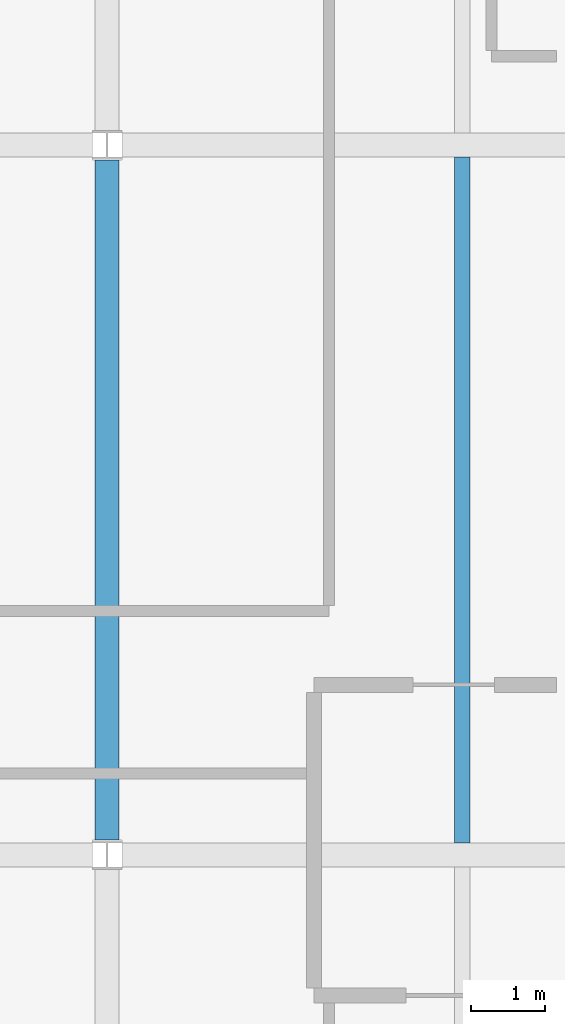
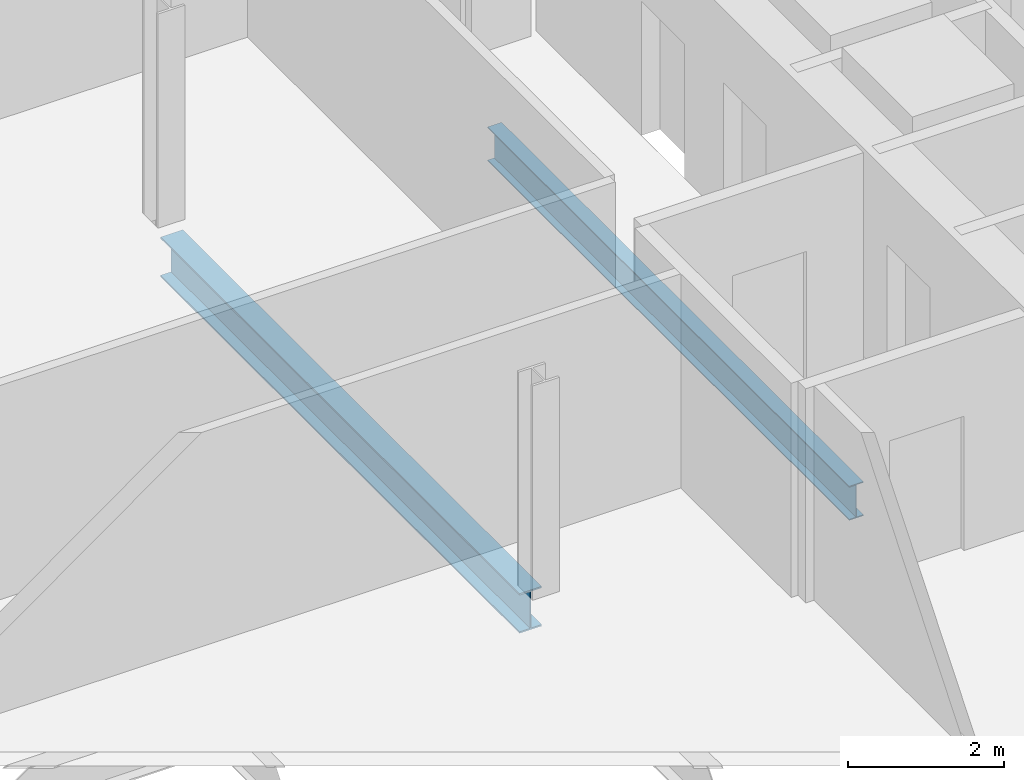
# One storey, part 5 of 19: 2 beams.
"""IFC4 building model written with IfcOpenShell, lengths in metres."""

from ifc_helpers import new_model, si_unit, direction, frame, origin, origin_2d, place, context, subcontext, project, spatial, i_section, extrude, material, material_profile, profile_set, type_object, element, save


model = new_model("IFC4")

# Units and contexts
model_context = context("Model", 3, precision=1e-05, world=origin(), true_north=direction((0.0, 1.0)))
body_context = subcontext(model_context, "Body", "Model", "MODEL_VIEW")
ifc_project = project(units=[si_unit("LENGTHUNIT", "METRE"), si_unit("AREAUNIT", "SQUARE_METRE"), si_unit("VOLUMEUNIT", "CUBIC_METRE"), si_unit("PLANEANGLEUNIT", "RADIAN"), si_unit("MASSUNIT", "GRAM", prefix="KILO")], contexts=[model_context])

# Site, building, storey
site_placement = place(None, origin())
site = spatial("IfcSite", under=ifc_project, at=site_placement, CompositionType="ELEMENT")
building_placement = place(site_placement, origin())
building = spatial("IfcBuilding", under=site, at=building_placement, Name="Cobrizo Arcos Hotel Tower", CompositionType="ELEMENT")
storey_placement = place(building_placement, frame((0.0, 0.0, 103.0)))
storey = spatial("IfcBuildingStorey", under=building, at=storey_placement, Name="L25", CompositionType="ELEMENT", Elevation=103.0)

# Beams
ifc_material = material(Name="Steel ASTM A992 Grade 50", Category="steel")
ifc_material_profile_1 = material_profile(ifc_material, i_section(OverallWidth=0.209228515625, OverallDepth=0.533447265625, WebThickness=0.01025390625, FlangeThickness=0.015625, at=origin_2d()), Name="W21X62")
ifc_profile_set_1 = profile_set([ifc_material_profile_1], Name="Steel ASTM A992 Grade 50")
beam_type_1 = type_object("IfcBeamType", Name="W21X62 joist", PredefinedType="JOIST", material=ifc_profile_set_1)
beam_1_placement = place(storey_placement, frame((14.39990234375, 0.163818359375, -0.416748046875), z_axis=(0.0, 1.0, 0.0), x_axis=(-1.0, 0.0, 0.0)))
element("IfcBeam", 1, at=beam_1_placement, inside=storey, type_object=beam_type_1, Name="Floor joist J1, L25, no. 017", PredefinedType="JOIST", context=body_context, shape_type="SweptSolid", body=[
    extrude(i_section(OverallWidth=0.209228515625, OverallDepth=0.533447265625, WebThickness=0.01025390625, FlangeThickness=0.015625, at=origin_2d()), origin(), (0.0, 0.0, 1.0), 9.272216796875),
])
ifc_material_profile_2 = material_profile(ifc_material, i_section(OverallWidth=0.32763671875, OverallDepth=0.622314453125, WebThickness=0.015380859375, FlangeThickness=0.0244140625, at=origin_2d()), Name="W24X131")
ifc_profile_set_2 = profile_set([ifc_material_profile_2], Name="Steel ASTM A992 Grade 50")
beam_type_2 = type_object("IfcBeamType", Name="W24X131 girder", PredefinedType="BEAM", material=ifc_profile_set_2)
beam_2_placement = place(storey_placement, frame((9.60009765625, 0.199462890625, -0.461181640625), z_axis=(0.0, 1.0, 0.0), x_axis=(-1.0, 0.0, 0.0)))
element("IfcBeam", 2, at=beam_2_placement, inside=storey, type_object=beam_type_2, Name="Floor girder G1, L25, no. 023", PredefinedType="BEAM", context=body_context, shape_type="SweptSolid", body=[
    extrude(i_section(OverallWidth=0.32763671875, OverallDepth=0.622314453125, WebThickness=0.015380859375, FlangeThickness=0.0244140625, at=origin_2d()), origin(), (0.0, 0.0, 1.0), 9.201171875),
])

save(model, "model.ifc")
